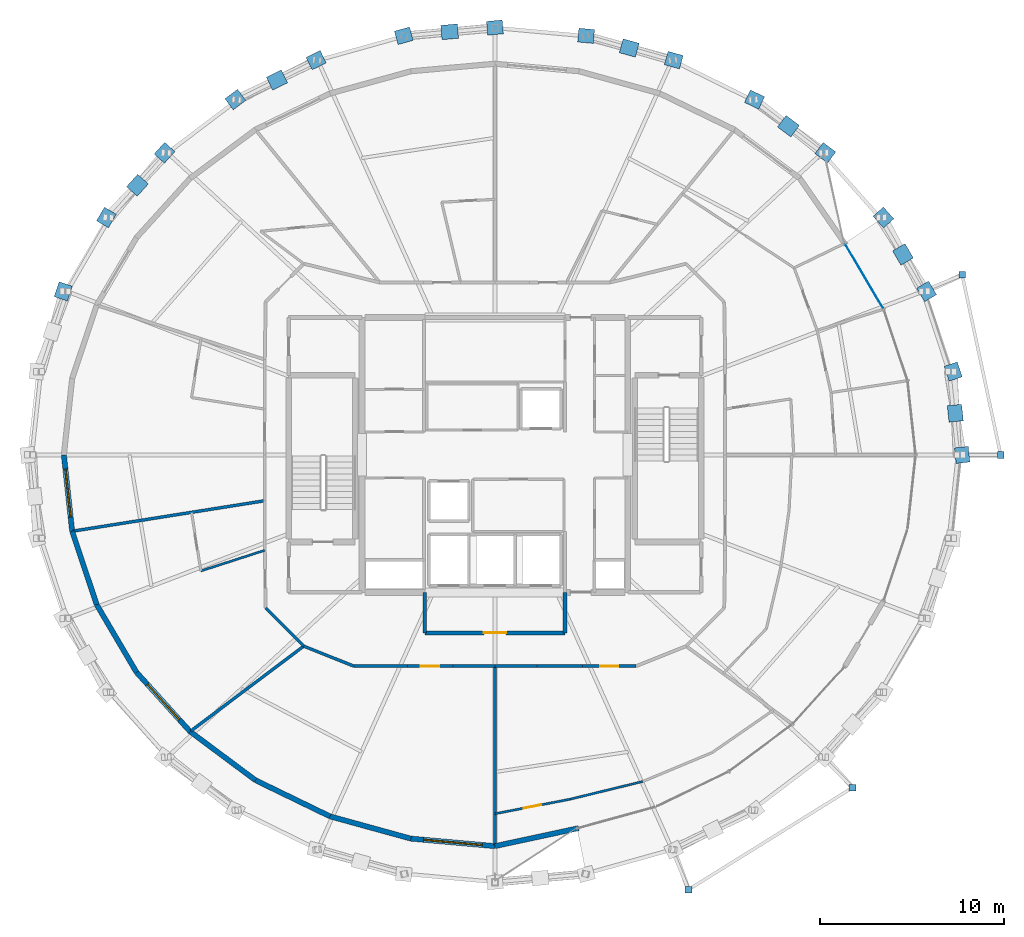
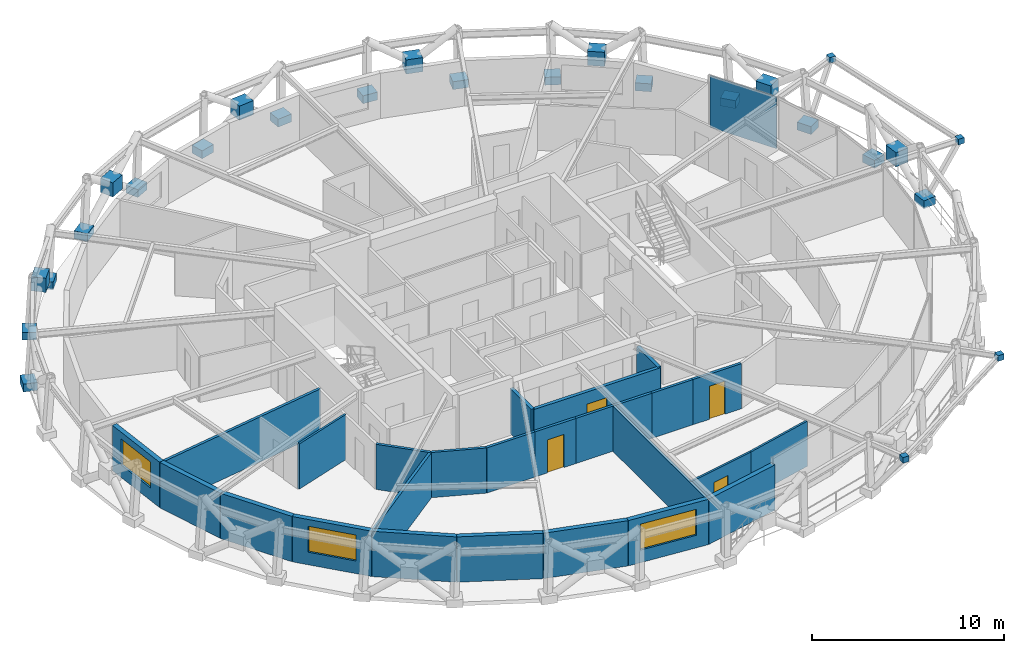
# One storey, part 13 of 18: 27 plates, 26 walls, 4 doors, 3 windows, 7 openings, 1 element without a shape of its own.
"""IFC4 building model written with IfcOpenShell, lengths in metres."""

import ifcopenshell
import ifcopenshell.guid

model = None  # the IFC model being written
_history = None  # IfcOwnerHistory: only IFC2X3 demands one
_inside = {}  # id of a spatial element -> (the spatial element, [elements in it])
_under = {}  # id of a project, library or spatial element -> (it, [spatial elements below it])
_declared = {}  # id of a project -> (the project, [libraries it declares])
_typed = {}  # id of a type object -> (the type object, [elements of that type])
_made_of = {}  # id of a material, layer set ... -> (it, [elements and type objects made of it])


def new_model(schema):
    """Start an empty IFC model of exactly this schema.

    Asked for "IFC4X3", IfcOpenShell would pick the latest addendum, in which some entities
    have other attributes; the version numbers below select the first issue.
    IFC2X3 requires an IfcOwnerHistory on every rooted entity: one is made here for all.
    """
    global model, _history
    if schema == "IFC4X3":
        model = ifcopenshell.file(schema_version=(4, 3, 0, 0))
    else:
        model = ifcopenshell.file(schema=schema)
    _inside.clear()
    _under.clear()
    _declared.clear()
    _typed.clear()
    _made_of.clear()
    _history = None
    if model.schema == "IFC2X3":
        org = make("IfcOrganization", Name="unknown")
        user = make(
            "IfcPersonAndOrganization",
            ThePerson=make("IfcPerson", FamilyName="unknown"),
            TheOrganization=org,
        )
        app = make(
            "IfcApplication",
            ApplicationDeveloper=org,
            Version="unknown",
            ApplicationFullName="unknown",
            ApplicationIdentifier="unknown",
        )
        _history = make(
            "IfcOwnerHistory",
            OwningUser=user,
            OwningApplication=app,
            ChangeAction="ADDED",
            CreationDate=0,
        )
    return model


def make(cls, **values):
    """One entity of the class cls with the attributes given. An attribute that is None is left unset."""
    return model.create_entity(
        cls, **{name: value for name, value in values.items() if value is not None}
    )


def rooted(cls, **values):
    """An entity with a GlobalId (a new one), such as an element, a storey or a relation."""
    return make(cls, GlobalId=ifcopenshell.guid.new(), OwnerHistory=_history, **values)


def si_unit(unit_type, name, prefix=None):
    """IfcSIUnit, for example si_unit("LENGTHUNIT", "METRE", prefix="MILLI")."""
    return make("IfcSIUnit", UnitType=unit_type, Prefix=prefix, Name=name)


def assignment(units):
    """IfcUnitAssignment: the units of a project."""
    return None if units is None else make("IfcUnitAssignment", Units=units)


def point(xyz):
    """IfcCartesianPoint."""
    return None if xyz is None else make("IfcCartesianPoint", Coordinates=xyz)


def direction(xyz):
    """IfcDirection."""
    return None if xyz is None else make("IfcDirection", DirectionRatios=xyz)


def frame(location, z_axis=None, x_axis=None):
    """IfcAxis2Placement3D, a coordinate frame: its origin and axes. An axis left out is left unset."""
    return make(
        "IfcAxis2Placement3D",
        Location=point(location),
        Axis=direction(z_axis),
        RefDirection=direction(x_axis),
    )


def frame_2d(location, x_axis=None):
    """IfcAxis2Placement2D, a coordinate frame in the plane: its origin and x axis."""
    return make(
        "IfcAxis2Placement2D", Location=point(location), RefDirection=direction(x_axis)
    )


def origin():
    """The frame at (0, 0, 0) with its axes left unset."""
    return frame((0.0, 0.0, 0.0))


def origin_2d():
    """The frame at (0, 0) in the plane with its x axis left unset."""
    return frame_2d((0.0, 0.0))


def place(relative_to, where):
    """IfcLocalPlacement: puts the frame where relative to a parent placement (None: the world)."""
    return make(
        "IfcLocalPlacement", PlacementRelTo=relative_to, RelativePlacement=where
    )


def context(
    kind, dimensions, precision=None, world=None, true_north=None, identifier=None
):
    """IfcGeometricRepresentationContext, for example the 3D "Model" context."""
    return make(
        "IfcGeometricRepresentationContext",
        ContextIdentifier=identifier,
        ContextType=kind,
        CoordinateSpaceDimension=dimensions,
        Precision=precision,
        WorldCoordinateSystem=world,
        TrueNorth=true_north,
    )


def subcontext(parent, identifier, kind, view, scale=None):
    """IfcGeometricRepresentationSubContext, for example "Body" below "Model"."""
    return make(
        "IfcGeometricRepresentationSubContext",
        ContextIdentifier=identifier,
        ContextType=kind,
        ParentContext=parent,
        TargetScale=scale,
        TargetView=view,
    )


def project(units=None, contexts=None):
    """IfcProject with its units and contexts."""
    return rooted(
        "IfcProject",
        Name="project",
        RepresentationContexts=contexts,
        UnitsInContext=assignment(units),
    )


def spatial(cls, under=None, at=None, **own):
    """A site, building, storey or space (cls), placed at a placement, below another one or the project."""
    s = rooted(cls, ObjectPlacement=at, **own)
    if under is not None:
        _under.setdefault(under.id(), (under, []))[1].append(s)
    return s


def profile(cls, at=None, kind="AREA", **sizes):
    """A parametric profile (cls). Its sizes go by their IFC names, for example OverallWidth=200.0."""
    return make(cls, ProfileType=kind, Position=at, **sizes)


def rectangle(**sizes):
    """IfcRectangleProfileDef."""
    return profile("IfcRectangleProfileDef", **sizes)


def extrude(swept, where, along, depth):
    """IfcExtrudedAreaSolid: the profile swept, set in the frame where, extruded along a direction by depth."""
    return make(
        "IfcExtrudedAreaSolid",
        SweptArea=swept,
        Position=where,
        ExtrudedDirection=direction(along),
        Depth=depth,
    )


def shape(context_of_items, identifier, shape_type, items):
    """IfcShapeRepresentation: the items that make up one representation, for example the "Body"."""
    return make(
        "IfcShapeRepresentation",
        ContextOfItems=context_of_items,
        RepresentationIdentifier=identifier,
        RepresentationType=shape_type,
        Items=items,
    )


def material(Name=None, Category=None):
    """IfcMaterial."""
    return make("IfcMaterial", Name=Name, Category=Category)


def layer(
    of_material, thickness, ventilated=None, Name=None, Category=None, Priority=None
):
    """IfcMaterialLayer: one layer of a wall or slab, of a material (None: an air gap)."""
    return make(
        "IfcMaterialLayer",
        Material=of_material,
        LayerThickness=thickness,
        IsVentilated=ventilated,
        Name=Name,
        Category=Category,
        Priority=Priority,
    )


def layer_set(layers, Name=None):
    """IfcMaterialLayerSet."""
    return make("IfcMaterialLayerSet", MaterialLayers=layers, LayerSetName=Name)


def made_of(thing, what):
    """Note that an element or type object is made of a material, layer set ...; save() writes the relation."""
    if what is not None:
        _made_of.setdefault(what.id(), (what, []))[1].append(thing)
    return thing


def type_object(cls, material=None, **own):
    """A type object (cls), such as IfcWallType, which elements share."""
    return made_of(rooted(cls, **own), material)


def element(
    cls,
    number,
    at=None,
    inside=None,
    cuts=None,
    type_object=None,
    material=None,
    context=None,
    identifier="Body",
    shape_type=None,
    held_by="IfcProductDefinitionShape",
    body=None,
    shapes=None,
    **own,
):
    """One element of the class cls, such as IfcWall. Its Tag is "e" and its number.

    at: its placement. inside: the storey or other place that contains it. cuts: it is an
    opening in that element (IfcRelVoidsElement). A single representation is given by context,
    identifier, shape_type and body (its items); several are given by shapes. held_by: the class
    of the entity that holds the representations. save() writes the other relations.
    """
    e = rooted(cls, Tag="e%d" % number, ObjectPlacement=at, **own)
    if body is not None:
        shapes = [shape(context, identifier, shape_type, body)]
    if shapes is not None:
        e.Representation = make(held_by, Representations=shapes)
    if inside is not None:
        _inside.setdefault(inside.id(), (inside, []))[1].append(e)
    if cuts is not None:
        rooted(
            "IfcRelVoidsElement", RelatingBuildingElement=cuts, RelatedOpeningElement=e
        )
    if type_object is not None:
        _typed.setdefault(type_object.id(), (type_object, []))[1].append(e)
    return made_of(e, material)


def fill(opening, filler):
    """IfcRelFillsElement: the door or window that sits in an opening."""
    return rooted(
        "IfcRelFillsElement",
        RelatingOpeningElement=opening,
        RelatedBuildingElement=filler,
    )


def aggregate(whole, parts):
    """IfcRelAggregates: a whole, such as a stair, and the parts it consists of."""
    return rooted("IfcRelAggregates", RelatingObject=whole, RelatedObjects=parts)


def save(model, path):
    """Write the relations noted so far, then the file.

    IfcRelAggregates (storeys below a building ...), IfcRelContainedInSpatialStructure (elements
    in a storey), IfcRelDefinesByType, IfcRelAssociatesMaterial and IfcRelDeclares: one each for
    every whole, place, type object, material and project.
    """
    for whole, parts in _under.values():
        aggregate(whole, parts)
    for where, things in _inside.values():
        rooted(
            "IfcRelContainedInSpatialStructure",
            RelatedElements=things,
            RelatingStructure=where,
        )
    for kind, things in _typed.values():
        rooted("IfcRelDefinesByType", RelatedObjects=things, RelatingType=kind)
    for what, things in _made_of.values():
        rooted("IfcRelAssociatesMaterial", RelatedObjects=things, RelatingMaterial=what)
    for by, libraries in _declared.values():
        rooted("IfcRelDeclares", RelatingContext=by, RelatedDefinitions=libraries)
    model.write(path)


model = new_model("IFC4")

# Units and contexts
model_context = context("Model", 3, precision=1e-05, world=origin(), true_north=direction((0.0, 1.0)))
body_context = subcontext(model_context, "Body", "Model", "MODEL_VIEW")
ifc_project = project(units=[si_unit("LENGTHUNIT", "METRE"), si_unit("AREAUNIT", "SQUARE_METRE"), si_unit("VOLUMEUNIT", "CUBIC_METRE"), si_unit("PLANEANGLEUNIT", "RADIAN"), si_unit("MASSUNIT", "GRAM", prefix="KILO")], contexts=[model_context])

# Site, building, storey
site_placement = place(None, origin())
site = spatial("IfcSite", under=ifc_project, at=site_placement, CompositionType="ELEMENT")
building_placement = place(site_placement, origin())
building = spatial("IfcBuilding", under=site, at=building_placement, Name="Veldorina Hangang Commons", CompositionType="ELEMENT")
storey_placement = place(building_placement, frame((0.0, 0.0, 218.39990234375)))
storey = spatial("IfcBuildingStorey", under=building, at=storey_placement, Name="L56", CompositionType="ELEMENT", Elevation=218.39990234375)

# Curtain wall, plate
ifc_material_1 = material(Name="Glass Low-E Selective", Category="glass")
ifc_layer_1 = layer(ifc_material_1, 0.179931640625)
ifc_layer_set_1 = layer_set([ifc_layer_1], Name="Glass Low-E Selective")
curtain_wall_type = type_object("IfcCurtainWallType", Name="CW-SYS-Z3", PredefinedType="NOTDEFINED", material=ifc_layer_set_1)
curtain_wall_placement = place(storey_placement, origin())
curtain_wall = element("IfcCurtainWall", 1, at=curtain_wall_placement, inside=storey, type_object=curtain_wall_type, Name="L56 unitised curtain wall CW-L56-R2", PredefinedType="NOTDEFINED")
ifc_material_2 = material(Name="Glass Low-E Triple IGU", Category="glass")
ifc_layer_2 = layer(ifc_material_2, 0.0400390625)
ifc_layer_set_2 = layer_set([ifc_layer_2], Name="Glass Low-E Triple IGU")
plate_type_1 = type_object("IfcPlateType", Name="CW-PNL-VIS", PredefinedType="CURTAIN_PANEL", material=ifc_layer_set_2)
plate_1_placement = place(storey_placement, frame((52.0185546875, 33.685791015625, 0.01513671875), z_axis=(0.0, 0.0, 1.0), x_axis=(-0.508470438106, 0.861079446725, 0.0)))
plate_1 = element("IfcPlate", 2, at=plate_1_placement, type_object=plate_type_1, Name="CW-L56-R2 facet 5 glazed vision panel", PredefinedType="CURTAIN_PANEL", context=body_context, shape_type="SweptSolid", body=[
    extrude(rectangle(XDim=3.96533203125, YDim=0.0400390625, at=origin_2d()), origin(), (0.0, 0.0, 1.0), 3.2900390625),
])
aggregate(curtain_wall, [plate_1])

# Plates
ifc_material_3 = material(Name="Steel SM460-TMC", Category="steel")
ifc_layer_3 = layer(ifc_material_3, 0.035888671875)
ifc_layer_set_3 = layer_set([ifc_layer_3], Name="Steel SM460-TMC")
plate_type_2 = type_object("IfcPlateType", Name="PL-STAR-36", PredefinedType="USERDEFINED", material=ifc_layer_set_3)
plate_2_placement = place(storey_placement, frame((57.32861328125, 24.0, -0.08984375), z_axis=(0.0, 0.0, 1.0), x_axis=(-0.107062342669, 0.994252309418, 0.0)))
element("IfcPlate", 3, at=plate_2_placement, inside=storey, type_object=plate_type_2, Name="L56 diagrid star-node gusset plate 00", ObjectType="GUSSET PLATE", PredefinedType="USERDEFINED", context=body_context, shape_type="SweptSolid", body=[
    extrude(rectangle(XDim=0.85009765625, YDim=0.75, at=origin_2d()), origin(), (0.0, 0.0, 1.0), 0.5),
])
plate_3_placement = place(storey_placement, frame((56.956298828125, 26.25927734375, 1.350830078125), z_axis=(0.0, 0.0, 1.0), x_axis=(-0.107062342669, 0.994252309418, 0.0)))
element("IfcPlate", 4, at=plate_3_placement, inside=storey, type_object=plate_type_2, Name="L56 diagrid X-crossing star-node gusset plate 00", ObjectType="GUSSET PLATE", PredefinedType="USERDEFINED", context=body_context, shape_type="SweptSolid", body=[
    extrude(rectangle(XDim=0.89990234375, YDim=0.780029296875, at=origin_2d()), origin(), (0.0, 0.0, 1.0), 0.89990234375),
])
for number, where, z_axis, x_axis, name in (
    (5, (56.842041015625, 28.51953125, -0.08984375), (0.0, 0.0, 1.0), (-0.314787734517, 0.949162094796, 0.0), "L56 diagrid star-node gusset plate 01"),
    (6, (55.400634765625, 32.865478515625, -0.08984375), (0.0, 0.0, 1.0), (-0.504572830409, 0.863369132419, 0.0), "L56 diagrid star-node gusset plate 02"),
):
    element("IfcPlate", number, at=place(storey_placement, frame(where, z_axis=z_axis, x_axis=x_axis)), inside=storey, type_object=plate_type_2, Name=name, ObjectType="GUSSET PLATE", PredefinedType="USERDEFINED", context=body_context, shape_type="SweptSolid", body=[
        extrude(rectangle(XDim=0.85009765625, YDim=0.75, at=origin_2d()), origin(), (0.0, 0.0, 1.0), 0.5),
    ])
plate_4_placement = place(storey_placement, frame((54.118896484375, 34.867919921875, 1.352783203125), z_axis=(0.0, 0.0, 1.0), x_axis=(-0.504572830409, 0.863369132419, 0.0)))
element("IfcPlate", 7, at=plate_4_placement, inside=storey, type_object=plate_type_2, Name="L56 diagrid X-crossing star-node gusset plate 02", ObjectType="GUSSET PLATE", PredefinedType="USERDEFINED", context=body_context, shape_type="SweptSolid", body=[
    extrude(rectangle(XDim=0.89990234375, YDim=0.780029296875, at=origin_2d()), origin(), (0.0, 0.0, 1.0), 0.89990234375),
])
for number, where, z_axis, x_axis, name in (
    (8, (53.06005859375, 36.87060546875, -0.08984375), (0.0, 0.0, 1.0), (-0.667832555471, 0.744311546231, 0.0), "L56 diagrid star-node gusset plate 03"),
    (9, (49.91015625, 40.38134765625, -0.08984375), (0.0, 0.0, 1.0), (-0.799758007688, 0.600322520933, 0.0), "L56 diagrid star-node gusset plate 04"),
):
    element("IfcPlate", number, at=place(storey_placement, frame(where, z_axis=z_axis, x_axis=x_axis)), inside=storey, type_object=plate_type_2, Name=name, ObjectType="GUSSET PLATE", PredefinedType="USERDEFINED", context=body_context, shape_type="SweptSolid", body=[
        extrude(rectangle(XDim=0.85009765625, YDim=0.75, at=origin_2d()), origin(), (0.0, 0.0, 1.0), 0.5),
    ])
plate_5_placement = place(storey_placement, frame((47.910888671875, 41.82177734375, 1.356201171875), z_axis=(0.0, 0.0, 1.0), x_axis=(-0.799758007688, 0.600322520933, 0.0)))
element("IfcPlate", 10, at=plate_5_placement, inside=storey, type_object=plate_type_2, Name="L56 diagrid X-crossing star-node gusset plate 04", ObjectType="GUSSET PLATE", PredefinedType="USERDEFINED", context=body_context, shape_type="SweptSolid", body=[
    extrude(rectangle(XDim=0.89990234375, YDim=0.780029296875, at=origin_2d()), origin(), (0.0, 0.0, 1.0), 0.89990234375),
])
for number, where, z_axis, x_axis, name in (
    (11, (46.072021484375, 43.262451171875, -0.08984375), (0.0, 0.0, 1.0), (-0.898388157769, 0.439202365636, 0.0), "L56 diagrid star-node gusset plate 05"),
    (12, (41.69287109375, 45.4033203125, -0.08984375), (0.0, 0.0, 1.0), (-0.963593130299, 0.267372921666, 0.0), "L56 diagrid star-node gusset plate 06"),
):
    element("IfcPlate", number, at=place(storey_placement, frame(where, z_axis=z_axis, x_axis=x_axis)), inside=storey, type_object=plate_type_2, Name=name, ObjectType="GUSSET PLATE", PredefinedType="USERDEFINED", context=body_context, shape_type="SweptSolid", body=[
        extrude(rectangle(XDim=0.85009765625, YDim=0.75, at=origin_2d()), origin(), (0.0, 0.0, 1.0), 0.5),
    ])
plate_6_placement = place(storey_placement, frame((39.27978515625, 46.0595703125, 1.35888671875), z_axis=(0.0, 0.0, 1.0), x_axis=(-0.963593130299, 0.267372921666, 0.0)))
element("IfcPlate", 13, at=plate_6_placement, inside=storey, type_object=plate_type_2, Name="L56 diagrid X-crossing star-node gusset plate 06", ObjectType="GUSSET PLATE", PredefinedType="USERDEFINED", context=body_context, shape_type="SweptSolid", body=[
    extrude(rectangle(XDim=0.89990234375, YDim=0.780029296875, at=origin_2d()), origin(), (0.0, 0.0, 1.0), 0.89990234375),
])
for number, where, z_axis, x_axis, name in (
    (14, (36.94140625, 46.7216796875, -0.08984375), (0.0, 0.0, 1.0), (-0.995967809887, 0.089711324082, 0.0), "L56 diagrid star-node gusset plate 07"),
    (15, (32.0, 47.166748046875, -0.08984375), (0.0, 0.0, 1.0), (-0.995967809887, -0.089711324082, 0.0), "L56 diagrid star-node gusset plate 08"),
):
    element("IfcPlate", number, at=place(storey_placement, frame(where, z_axis=z_axis, x_axis=x_axis)), inside=storey, type_object=plate_type_2, Name=name, ObjectType="GUSSET PLATE", PredefinedType="USERDEFINED", context=body_context, shape_type="SweptSolid", body=[
        extrude(rectangle(XDim=0.85009765625, YDim=0.75, at=origin_2d()), origin(), (0.0, 0.0, 1.0), 0.5),
    ])
plate_7_placement = place(storey_placement, frame((29.542236328125, 46.93701171875, 1.359375), z_axis=(0.0, 0.0, 1.0), x_axis=(-0.995967809887, -0.089711324082, 0.0)))
element("IfcPlate", 16, at=plate_7_placement, inside=storey, type_object=plate_type_2, Name="L56 diagrid X-crossing star-node gusset plate 08", ObjectType="GUSSET PLATE", PredefinedType="USERDEFINED", context=body_context, shape_type="SweptSolid", body=[
    extrude(rectangle(XDim=0.89990234375, YDim=0.780029296875, at=origin_2d()), origin(), (0.0, 0.0, 1.0), 0.89990234375),
])
for number, where, z_axis, x_axis, name in (
    (17, (27.05859375, 46.7216796875, -0.08984375), (0.0, 0.0, 1.0), (-0.963593130299, -0.267372921666, 0.0), "L56 diagrid star-node gusset plate 09"),
    (18, (22.30712890625, 45.4033203125, -0.08984375), (0.0, 0.0, 1.0), (-0.898388157769, -0.439202365636, 0.0), "L56 diagrid star-node gusset plate 10"),
):
    element("IfcPlate", number, at=place(storey_placement, frame(where, z_axis=z_axis, x_axis=x_axis)), inside=storey, type_object=plate_type_2, Name=name, ObjectType="GUSSET PLATE", PredefinedType="USERDEFINED", context=body_context, shape_type="SweptSolid", body=[
        extrude(rectangle(XDim=0.85009765625, YDim=0.75, at=origin_2d()), origin(), (0.0, 0.0, 1.0), 0.5),
    ])
plate_8_placement = place(storey_placement, frame((20.181640625, 44.3232421875, 1.35791015625), z_axis=(0.0, 0.0, 1.0), x_axis=(-0.898388157769, -0.439202365636, 0.0)))
element("IfcPlate", 19, at=plate_8_placement, inside=storey, type_object=plate_type_2, Name="L56 diagrid X-crossing star-node gusset plate 10", ObjectType="GUSSET PLATE", PredefinedType="USERDEFINED", context=body_context, shape_type="SweptSolid", body=[
    extrude(rectangle(XDim=0.89990234375, YDim=0.780029296875, at=origin_2d()), origin(), (0.0, 0.0, 1.0), 0.89990234375),
])
for number, where, z_axis, x_axis, name in (
    (20, (17.927978515625, 43.262451171875, -0.08984375), (0.0, 0.0, 1.0), (-0.799758007688, -0.600322520933, 0.0), "L56 diagrid star-node gusset plate 11"),
    (21, (14.08984375, 40.38134765625, -0.08984375), (0.0, 0.0, 1.0), (-0.667832555471, -0.744311546231, 0.0), "L56 diagrid star-node gusset plate 12"),
):
    element("IfcPlate", number, at=place(storey_placement, frame(where, z_axis=z_axis, x_axis=x_axis)), inside=storey, type_object=plate_type_2, Name=name, ObjectType="GUSSET PLATE", PredefinedType="USERDEFINED", context=body_context, shape_type="SweptSolid", body=[
        extrude(rectangle(XDim=0.85009765625, YDim=0.75, at=origin_2d()), origin(), (0.0, 0.0, 1.0), 0.5),
    ])
plate_9_placement = place(storey_placement, frame((12.62060546875, 38.618408203125, 1.3544921875), z_axis=(0.0, 0.0, 1.0), x_axis=(-0.667832555471, -0.744311546231, 0.0)))
element("IfcPlate", 22, at=plate_9_placement, inside=storey, type_object=plate_type_2, Name="L56 diagrid X-crossing star-node gusset plate 12", ObjectType="GUSSET PLATE", PredefinedType="USERDEFINED", context=body_context, shape_type="SweptSolid", body=[
    extrude(rectangle(XDim=0.89990234375, YDim=0.780029296875, at=origin_2d()), origin(), (0.0, 0.0, 1.0), 0.89990234375),
])
for number, where, z_axis, x_axis, name in (
    (23, (10.93994140625, 36.87060546875, -0.08984375), (0.0, 0.0, 1.0), (-0.504572830409, -0.863369132419, 0.0), "L56 diagrid star-node gusset plate 13"),
    (24, (8.599365234375, 32.865478515625, -0.08984375), (0.0, 0.0, 1.0), (-0.314787734517, -0.949162094796, 0.0), "L56 diagrid star-node gusset plate 14"),
):
    element("IfcPlate", number, at=place(storey_placement, frame(where, z_axis=z_axis, x_axis=x_axis)), inside=storey, type_object=plate_type_2, Name=name, ObjectType="GUSSET PLATE", PredefinedType="USERDEFINED", context=body_context, shape_type="SweptSolid", body=[
        extrude(rectangle(XDim=0.85009765625, YDim=0.75, at=origin_2d()), origin(), (0.0, 0.0, 1.0), 0.5),
    ])
for number, where, z_axis, x_axis, name in (
    (25, (42.491455078125, 0.43701171875, 3.0048828125), (0.0, 0.0, 1.0), (1.0, 0.0, 0.0), "L57 tree balcony 1 strut end gusset A"),
    (26, (51.3857421875, 5.965576171875, 3.0048828125), (0.0, 0.0, 1.0), (1.0, 0.0, 0.0), "L57 tree balcony 1 strut end gusset B"),
    (27, (59.41552734375, 24.0, 3.0048828125), (0.0, 0.0, 1.0), (1.0, 0.0, 0.0), "L57 tree balcony 2 strut end gusset A"),
    (28, (57.32861328125, 33.760009765625, 3.0048828125), (0.0, 0.0, 1.0), (1.0, 0.0, 0.0), "L57 tree balcony 2 strut end gusset B"),
):
    element("IfcPlate", number, at=place(storey_placement, frame(where, z_axis=z_axis, x_axis=x_axis)), inside=storey, type_object=plate_type_2, Name=name, ObjectType="GUSSET PLATE", PredefinedType="USERDEFINED", context=body_context, shape_type="SweptSolid", body=[
        extrude(rectangle(XDim=0.360107421875, YDim=0.360107421875, at=origin_2d()), origin(), (0.0, 0.0, 1.0), 0.360107421875),
    ])

# Wall, opening, window
ifc_material_4 = material(Name="Stone Roman Travertine", Category="masonry")
ifc_layer_4 = layer(ifc_material_4, 0.280029296875)
ifc_layer_set_4 = layer_set([ifc_layer_4], Name="Stone Roman Travertine")
wall_type_1 = type_object("IfcWallType", Name="EW-TRAV-280", PredefinedType="STANDARD", material=ifc_layer_set_4)
wall_1_placement = place(storey_placement, frame((8.63134765625, 24.0, 0.0), z_axis=(0.0, 0.0, 1.0), x_axis=(0.107887755605, -0.994163081285, 0.0)))
wall_1 = element("IfcWall", 29, at=wall_1_placement, inside=storey, type_object=wall_type_1, Name="L56 travertine facade wall 16", PredefinedType="STANDARD", context=body_context, shape_type="SweptSolid", body=[
    extrude(rectangle(XDim=4.161376953125, YDim=0.280029296875, at=frame_2d((2.08056640625, 0.0))), origin(), (0.0, 0.0, 1.0), 2.880126953125),
])
opening_1_placement = place(wall_1_placement, frame((0.78076171875, 0.0, 0.800048828125)))
opening_1 = element("IfcOpeningElement", 30, at=opening_1_placement, cuts=wall_1, Name="Opening W-02", PredefinedType="OPENING", context=body_context, shape_type="SweptSolid", body=[
    extrude(rectangle(XDim=2.60009765625, YDim=1.64990234375, at=frame_2d((1.300048828125, 0.824951171875))), frame((0.0, 0.14990234375, 0.0), z_axis=(0.0, -1.0, 0.0), x_axis=(1.0, 0.0, 0.0)), (0.0, 0.0, 1.0), 0.300048828125),
])
window_type_1 = type_object("IfcWindowType", Name="WIN-TWR-2600", PartitioningType="SINGLE_PANEL", PredefinedType="WINDOW", material=ifc_material_2)
window_1_placement = place(opening_1_placement, origin())
window_1 = element("IfcWindow", 31, at=window_1_placement, inside=storey, type_object=window_type_1, Name="L56 facade window 16", OverallHeight=1.64990234375, OverallWidth=2.60009765625, PartitioningType="SINGLE_PANEL", PredefinedType="WINDOW", context=body_context, shape_type="SweptSolid", body=[
    extrude(rectangle(XDim=2.60009765625, YDim=1.64990234375, at=frame_2d((1.300048828125, 0.824951171875))), frame((0.0, 0.030029296875, 0.0), z_axis=(0.0, -1.0, 0.0), x_axis=(1.0, 0.0, 0.0)), (0.0, 0.0, 1.0), 0.06005859375),
])
fill(opening_1, window_1)

# Walls
wall_2_placement = place(storey_placement, frame((9.080322265625, 19.86279296875, 0.0), z_axis=(0.0, 0.0, 1.0), x_axis=(0.317030851827, -0.948415224989, 0.0)))
element("IfcWall", 32, at=wall_2_placement, inside=storey, type_object=wall_type_1, Name="L56 travertine facade wall 17", PredefinedType="STANDARD", context=body_context, shape_type="SweptSolid", body=[
    extrude(rectangle(XDim=4.194580078125, YDim=0.280029296875, at=frame_2d((2.09716796875, 0.0))), origin(), (0.0, 0.0, 1.0), 2.880126953125),
])
wall_3_placement = place(storey_placement, frame((10.41015625, 15.884521484375, 0.0), z_axis=(0.0, 0.0, 1.0), x_axis=(0.50750901232, -0.861646448617, 0.0)))
element("IfcWall", 33, at=wall_3_placement, inside=storey, type_object=wall_type_1, Name="L56 travertine facade wall 18", PredefinedType="STANDARD", context=body_context, shape_type="SweptSolid", body=[
    extrude(rectangle(XDim=4.2548828125, YDim=0.280029296875, at=frame_2d((2.12744140625, 0.0))), origin(), (0.0, 0.0, 1.0), 2.880126953125),
])

# Wall, opening, window
wall_4_placement = place(storey_placement, frame((12.569580078125, 12.21826171875, 0.0), z_axis=(0.0, 0.0, 1.0), x_axis=(0.670746586543, -0.741686602711, 0.0)))
wall_4 = element("IfcWall", 34, at=wall_4_placement, inside=storey, type_object=wall_type_1, Name="L56 travertine facade wall 19", PredefinedType="STANDARD", context=body_context, shape_type="SweptSolid", body=[
    extrude(rectangle(XDim=4.332763671875, YDim=0.280029296875, at=frame_2d((2.16650390625, 0.0))), origin(), (0.0, 0.0, 1.0), 2.880126953125),
])
opening_2_placement = place(wall_4_placement, frame((0.866455078125, 0.0, 0.800048828125)))
opening_2 = element("IfcOpeningElement", 35, at=opening_2_placement, cuts=wall_4, Name="Opening W-02", PredefinedType="OPENING", context=body_context, shape_type="SweptSolid", body=[
    extrude(rectangle(XDim=2.60009765625, YDim=1.64990234375, at=frame_2d((1.300048828125, 0.824951171875))), frame((0.0, 0.14990234375, 0.0), z_axis=(0.0, -1.0, 0.0), x_axis=(1.0, 0.0, 0.0)), (0.0, 0.0, 1.0), 0.300048828125),
])
window_2_placement = place(opening_2_placement, origin())
window_2 = element("IfcWindow", 36, at=window_2_placement, inside=storey, type_object=window_type_1, Name="L56 facade window 19", OverallHeight=1.64990234375, OverallWidth=2.60009765625, PartitioningType="SINGLE_PANEL", PredefinedType="WINDOW", context=body_context, shape_type="SweptSolid", body=[
    extrude(rectangle(XDim=2.60009765625, YDim=1.64990234375, at=frame_2d((1.300048828125, 0.824951171875))), frame((0.0, 0.030029296875, 0.0), z_axis=(0.0, -1.0, 0.0), x_axis=(1.0, 0.0, 0.0)), (0.0, 0.0, 1.0), 0.06005859375),
])
fill(opening_2, window_2)

# Walls
wall_5_placement = place(storey_placement, frame((15.475830078125, 9.004638671875, 0.0), z_axis=(0.0, 0.0, 1.0), x_axis=(0.802005914902, -0.597316090912, 0.0)))
element("IfcWall", 37, at=wall_5_placement, inside=storey, type_object=wall_type_1, Name="L56 travertine facade wall 20", PredefinedType="STANDARD", context=body_context, shape_type="SweptSolid", body=[
    extrude(rectangle(XDim=4.41552734375, YDim=0.280029296875, at=frame_2d((2.207763671875, 0.0))), origin(), (0.0, 0.0, 1.0), 2.880126953125),
])
wall_6_placement = place(storey_placement, frame((19.01708984375, 6.3671875, 0.0), z_axis=(0.0, 0.0, 1.0), x_axis=(0.899755886265, -0.436393566785, 0.0)))
element("IfcWall", 38, at=wall_6_placement, inside=storey, type_object=wall_type_1, Name="L56 travertine facade wall 21", PredefinedType="STANDARD", context=body_context, shape_type="SweptSolid", body=[
    extrude(rectangle(XDim=4.490234375, YDim=0.280029296875, at=frame_2d((2.2451171875, 0.0))), origin(), (0.0, 0.0, 1.0), 2.880126953125),
])
wall_7_placement = place(storey_placement, frame((23.05712890625, 4.40771484375, 0.0), z_axis=(0.0, 0.0, 1.0), x_axis=(0.964121606476, -0.265460972511, 0.0)))
element("IfcWall", 39, at=wall_7_placement, inside=storey, type_object=wall_type_1, Name="L56 travertine facade wall 22", PredefinedType="STANDARD", context=body_context, shape_type="SweptSolid", body=[
    extrude(rectangle(XDim=4.546875, YDim=0.280029296875, at=frame_2d((2.2734375, 0.0))), origin(), (0.0, 0.0, 1.0), 2.880126953125),
])

# Wall, opening, window
wall_8_placement = place(storey_placement, frame((27.44091796875, 3.20068359375, 0.0), z_axis=(0.0, 0.0, 1.0), x_axis=(0.996029770712, -0.089020760807, 0.0)))
wall_8 = element("IfcWall", 40, at=wall_8_placement, inside=storey, type_object=wall_type_1, Name="L56 travertine facade wall 23", PredefinedType="STANDARD", context=body_context, shape_type="SweptSolid", body=[
    extrude(rectangle(XDim=4.5771484375, YDim=0.280029296875, at=frame_2d((2.28857421875, 0.0))), origin(), (0.0, 0.0, 1.0), 2.880126953125),
])
opening_3_placement = place(wall_8_placement, frame((0.688720703125, 0.0, 0.800048828125)))
opening_3 = element("IfcOpeningElement", 41, at=opening_3_placement, cuts=wall_8, Name="Opening W-01", PredefinedType="OPENING", context=body_context, shape_type="SweptSolid", body=[
    extrude(rectangle(XDim=3.199951171875, YDim=1.64990234375, at=frame_2d((1.60009765625, 0.824951171875))), frame((0.0, 0.14990234375, 0.0), z_axis=(0.0, -1.0, 0.0), x_axis=(1.0, 0.0, 0.0)), (0.0, 0.0, 1.0), 0.300048828125),
])
window_type_2 = type_object("IfcWindowType", Name="WIN-TWR-3200", PartitioningType="SINGLE_PANEL", PredefinedType="WINDOW", material=ifc_material_2)
window_3_placement = place(opening_3_placement, origin())
window_3 = element("IfcWindow", 42, at=window_3_placement, inside=storey, type_object=window_type_2, Name="L56 facade window 23", OverallHeight=1.64990234375, OverallWidth=3.199951171875, PartitioningType="SINGLE_PANEL", PredefinedType="WINDOW", context=body_context, shape_type="SweptSolid", body=[
    extrude(rectangle(XDim=3.199951171875, YDim=1.64990234375, at=frame_2d((1.60009765625, 0.824951171875))), frame((0.0, 0.030029296875, 0.0), z_axis=(0.0, -1.0, 0.0), x_axis=(1.0, 0.0, 0.0)), (0.0, 0.0, 1.0), 0.06005859375),
])
fill(opening_3, window_3)

# Walls
wall_9_placement = place(storey_placement, frame((32.0, 2.793212890625, 0.0), z_axis=(0.0, 0.0, 1.0), x_axis=(0.977658303717, 0.21020047853, 0.0)))
element("IfcWall", 43, at=wall_9_placement, inside=storey, type_object=wall_type_1, Name="L56 travertine facade wall 24", PredefinedType="STANDARD", context=body_context, shape_type="SweptSolid", body=[
    extrude(rectangle(XDim=4.6435546875, YDim=0.280029296875, at=frame_2d((2.32177734375, 0.0))), origin(), (0.0, 0.0, 1.0), 2.880126953125),
])
ifc_material_5 = material(Name="Gypsum Fire-Rated Twin Stud Wall", Category="gypsum")
ifc_layer_5 = layer(ifc_material_5, 0.159912109375)
ifc_layer_set_5 = layer_set([ifc_layer_5], Name="Gypsum Fire-Rated Twin Stud Wall")
wall_type_2 = type_object("IfcWallType", Name="WL-FIRE-160", PredefinedType="SOLIDWALL", material=ifc_layer_set_5)
wall_10_placement = place(storey_placement, frame((19.5732421875, 15.69677734375, 0.0), z_axis=(0.0, 0.0, 1.0), x_axis=(0.707106781187, -0.707106781187, 0.0)))
element("IfcWall", 44, at=wall_10_placement, inside=storey, type_object=wall_type_2, Name="L56 Compact collar outer wall 19 071", PredefinedType="SOLIDWALL", context=body_context, shape_type="SweptSolid", body=[
    extrude(rectangle(XDim=2.915771484375, YDim=0.159912109375, at=frame_2d((1.4580078125, 0.0))), origin(), (0.0, 0.0, 1.0), 2.8701171875),
])
wall_11_placement = place(storey_placement, frame((21.635009765625, 13.635009765625, 0.0), z_axis=(0.0, 0.0, 1.0), x_axis=(0.92856882165, -0.371160266542, 0.0)))
element("IfcWall", 45, at=wall_11_placement, inside=storey, type_object=wall_type_2, Name="L56 Compact collar outer wall 20 072", PredefinedType="SOLIDWALL", context=body_context, shape_type="SweptSolid", body=[
    extrude(rectangle(XDim=2.923095703125, YDim=0.159912109375, at=frame_2d((1.46142578125, 0.0))), origin(), (0.0, 0.0, 1.0), 2.8701171875),
])
wall_12_placement = place(storey_placement, frame((24.349365234375, 12.550048828125, 0.0), z_axis=(0.0, 0.0, 1.0), x_axis=(1.0, 0.0, 0.0)))
element("IfcWall", 46, at=wall_12_placement, inside=storey, type_object=wall_type_2, Name="L56 Compact collar outer wall 21 073", PredefinedType="SOLIDWALL", context=body_context, shape_type="SweptSolid", body=[
    extrude(rectangle(XDim=2.907958984375, YDim=0.159912109375, at=frame_2d((1.4541015625, 0.0))), origin(), (0.0, 0.0, 1.0), 2.8701171875),
])

# Wall, opening, door
wall_13_placement = place(storey_placement, frame((27.25732421875, 12.550048828125, 0.0), z_axis=(0.0, 0.0, 1.0), x_axis=(1.0, 0.0, 0.0)))
wall_13 = element("IfcWall", 47, at=wall_13_placement, inside=storey, type_object=wall_type_2, Name="L56 Compact collar outer wall 22 074", PredefinedType="SOLIDWALL", context=body_context, shape_type="SweptSolid", body=[
    extrude(rectangle(XDim=2.465087890625, YDim=0.159912109375, at=frame_2d((1.232421875, 0.0))), origin(), (0.0, 0.0, 1.0), 2.8701171875),
])
opening_4_placement = place(wall_13_placement, frame((0.732666015625, 0.0, 0.0)))
opening_4 = element("IfcOpeningElement", 48, at=opening_4_placement, cuts=wall_13, Name="Opening D-05", PredefinedType="OPENING", context=body_context, shape_type="SweptSolid", body=[
    extrude(rectangle(XDim=1.0, YDim=2.10009765625, at=frame_2d((0.5, 1.050048828125))), frame((0.0, 0.08984375, 0.0), z_axis=(0.0, -1.0, 0.0), x_axis=(1.0, 0.0, 0.0)), (0.0, 0.0, 1.0), 0.179931640625),
])
ifc_material_6 = material(Name="Timber Solid Core Acoustic", Category="wood")
door_type_1 = type_object("IfcDoorType", Name="DR-INT-1000", OperationType="SINGLE_SWING_RIGHT", PredefinedType="DOOR", material=ifc_material_6)
door_1_placement = place(opening_4_placement, origin())
door_1 = element("IfcDoor", 49, at=door_1_placement, inside=storey, type_object=door_type_1, Name="L56 Floor Study Room 8 door 038", OperationType="SINGLE_SWING_RIGHT", OverallHeight=2.10009765625, OverallWidth=1.0, PredefinedType="DOOR", context=body_context, shape_type="SweptSolid", body=[
    extrude(rectangle(XDim=1.0, YDim=2.10009765625, at=frame_2d((0.5, 1.050048828125))), frame((0.0, 0.02490234375, 0.0), z_axis=(0.0, -1.0, 0.0), x_axis=(1.0, 0.0, 0.0)), (0.0, 0.0, 1.0), 0.050048828125),
])
fill(opening_4, door_1)

# Walls
for number, where, z_axis, x_axis, name in (
    (50, (29.722412109375, 12.550048828125, 0.0), (0.0, 0.0, 1.0), (1.0, 0.0, 0.0), "L56 Compact collar outer wall 23 075"),
    (51, (32.0, 12.550048828125, 0.0), (0.0, 0.0, 1.0), (1.0, 0.0, 0.0), "L56 Compact collar outer wall 24 076"),
):
    element("IfcWall", number, at=place(storey_placement, frame(where, z_axis=z_axis, x_axis=x_axis)), inside=storey, type_object=wall_type_2, Name=name, PredefinedType="SOLIDWALL", context=body_context, shape_type="SweptSolid", body=[
        extrude(rectangle(XDim=2.277587890625, YDim=0.159912109375, at=frame_2d((1.138671875, 0.0))), origin(), (0.0, 0.0, 1.0), 2.8701171875),
    ])
wall_14_placement = place(storey_placement, frame((34.277587890625, 12.550048828125, 0.0), z_axis=(0.0, 0.0, 1.0), x_axis=(1.0, 0.0, 0.0)))
element("IfcWall", 52, at=wall_14_placement, inside=storey, type_object=wall_type_2, Name="L56 Compact collar outer wall 25 077", PredefinedType="SOLIDWALL", context=body_context, shape_type="SweptSolid", body=[
    extrude(rectangle(XDim=2.465087890625, YDim=0.159912109375, at=frame_2d((1.232421875, 0.0))), origin(), (0.0, 0.0, 1.0), 2.8701171875),
])

# Wall, opening, door
wall_15_placement = place(storey_placement, frame((36.74267578125, 12.550048828125, 0.0), z_axis=(0.0, 0.0, 1.0), x_axis=(1.0, 0.0, 0.0)))
wall_15 = element("IfcWall", 53, at=wall_15_placement, inside=storey, type_object=wall_type_2, Name="L56 Compact collar outer wall 26 078", PredefinedType="SOLIDWALL", context=body_context, shape_type="SweptSolid", body=[
    extrude(rectangle(XDim=2.907958984375, YDim=0.159912109375, at=frame_2d((1.4541015625, 0.0))), origin(), (0.0, 0.0, 1.0), 2.8701171875),
])
opening_5_placement = place(wall_15_placement, frame((0.97900390625, 0.0, 0.0)))
opening_5 = element("IfcOpeningElement", 54, at=opening_5_placement, cuts=wall_15, Name="Opening D-02", PredefinedType="OPENING", context=body_context, shape_type="SweptSolid", body=[
    extrude(rectangle(XDim=0.949951171875, YDim=2.10009765625, at=frame_2d((0.47509765625, 1.050048828125))), frame((0.0, 0.08984375, 0.0), z_axis=(0.0, -1.0, 0.0), x_axis=(1.0, 0.0, 0.0)), (0.0, 0.0, 1.0), 0.179931640625),
])
door_type_2 = type_object("IfcDoorType", Name="DR-INT-950", OperationType="SINGLE_SWING_LEFT", PredefinedType="DOOR", material=ifc_material_6)
door_2_placement = place(opening_5_placement, origin())
door_2 = element("IfcDoor", 55, at=door_2_placement, inside=storey, type_object=door_type_2, Name="L56 Linen drying store door 039", OperationType="SINGLE_SWING_LEFT", OverallHeight=2.10009765625, OverallWidth=0.949951171875, PredefinedType="DOOR", context=body_context, shape_type="SweptSolid", body=[
    extrude(rectangle(XDim=0.949951171875, YDim=2.10009765625, at=frame_2d((0.47509765625, 1.050048828125))), frame((0.0, 0.02490234375, 0.0), z_axis=(0.0, -1.0, 0.0), x_axis=(1.0, 0.0, 0.0)), (0.0, 0.0, 1.0), 0.050048828125),
])
fill(opening_5, door_2)

# Walls
wall_16_placement = place(storey_placement, frame((19.52001953125, 21.517578125, 0.0), z_axis=(0.0, 0.0, 1.0), x_axis=(-0.987669269577, -0.156554827241, 0.0)))
element("IfcWall", 56, at=wall_16_placement, inside=storey, type_object=wall_type_2, Name="L56 Unit party wall 17 111", PredefinedType="SOLIDWALL", context=body_context, shape_type="SweptSolid", body=[
    extrude(rectangle(XDim=10.52001953125, YDim=0.159912109375, at=frame_2d((5.260009765625, 0.0))), origin(), (0.0, 0.0, 1.0), 2.8701171875),
])
wall_17_placement = place(storey_placement, frame((21.635009765625, 13.635009765625, 0.0), z_axis=(0.0, 0.0, 1.0), x_axis=(-0.799310631822, -0.600918059186, 0.0)))
element("IfcWall", 57, at=wall_17_placement, inside=storey, type_object=wall_type_2, Name="L56 Unit party wall 20 114", PredefinedType="SOLIDWALL", context=body_context, shape_type="SweptSolid", body=[
    extrude(rectangle(XDim=7.655517578125, YDim=0.159912109375, at=frame_2d((3.82763671875, 0.0))), origin(), (0.0, 0.0, 1.0), 2.8701171875),
])
wall_18_placement = place(storey_placement, frame((32.0, 12.550048828125, 0.0), z_axis=(0.0, 0.0, 1.0), x_axis=(0.0, -1.0, 0.0)))
element("IfcWall", 58, at=wall_18_placement, inside=storey, type_object=wall_type_2, Name="L56 Unit party wall 24 115", PredefinedType="SOLIDWALL", context=body_context, shape_type="SweptSolid", body=[
    extrude(rectangle(XDim=9.706787109375, YDim=0.159912109375, at=frame_2d((4.853515625, 0.0))), origin(), (0.0, 0.0, 1.0), 2.8701171875),
])
ifc_material_7 = material(Name="Concrete Blockwork Fire Wall C30/37", Category="masonry")
ifc_layer_6 = layer(ifc_material_7, 0.199951171875)
ifc_layer_set_6 = layer_set([ifc_layer_6], Name="Concrete Blockwork Fire Wall C30/37")
wall_type_3 = type_object("IfcWallType", Name="WL-FIRE-200", PredefinedType="SOLIDWALL", material=ifc_layer_set_6)
for number, where, z_axis, x_axis, name in (
    (59, (28.199951171875, 14.35009765625, 0.0), (0.0, 0.0, 1.0), (0.0, 1.0, 0.0), "L56 FF lobby west wall 012"),
    (60, (35.800048828125, 14.35009765625, 0.0), (0.0, 0.0, 1.0), (0.0, 1.0, 0.0), "L56 FF lobby east wall 013"),
):
    element("IfcWall", number, at=place(storey_placement, frame(where, z_axis=z_axis, x_axis=x_axis)), inside=storey, type_object=wall_type_3, Name=name, PredefinedType="SOLIDWALL", context=body_context, shape_type="SweptSolid", body=[
        extrude(rectangle(XDim=2.199951171875, YDim=0.199951171875, at=frame_2d((1.10009765625, 0.0))), origin(), (0.0, 0.0, 1.0), 2.8701171875),
    ])

# Wall, opening, door
wall_19_placement = place(storey_placement, frame((28.199951171875, 14.35009765625, 0.0), z_axis=(0.0, 0.0, 1.0), x_axis=(1.0, 0.0, 0.0)))
wall_19 = element("IfcWall", 61, at=wall_19_placement, inside=storey, type_object=wall_type_3, Name="L56 FF lobby south wall 014", PredefinedType="SOLIDWALL", context=body_context, shape_type="SweptSolid", body=[
    extrude(rectangle(XDim=7.60009765625, YDim=0.199951171875, at=frame_2d((3.800048828125, 0.0))), origin(), (0.0, 0.0, 1.0), 2.8701171875),
])
opening_6_placement = place(wall_19_placement, frame((3.199951171875, 0.0, 0.0)))
opening_6 = element("IfcOpeningElement", 62, at=opening_6_placement, cuts=wall_19, Name="Opening D-09", PredefinedType="OPENING", context=body_context, shape_type="SweptSolid", body=[
    extrude(rectangle(XDim=1.199951171875, YDim=2.10009765625, at=frame_2d((0.60009765625, 1.050048828125))), frame((0.0, 0.10986328125, 0.0), z_axis=(0.0, -1.0, 0.0), x_axis=(1.0, 0.0, 0.0)), (0.0, 0.0, 1.0), 0.219970703125),
])
ifc_material_8 = material(Name="Steel Fire-Rated Corridor Door", Category="steel")
door_type_3 = type_object("IfcDoorType", Name="DR-FIRE-1200", OperationType="SINGLE_SWING_LEFT", PredefinedType="DOOR", material=ifc_material_8)
door_3_placement = place(opening_6_placement, origin())
door_3 = element("IfcDoor", 63, at=door_3_placement, inside=storey, type_object=door_type_3, Name="L56 FF lobby south corridor door 005", OperationType="SINGLE_SWING_LEFT", OverallHeight=2.10009765625, OverallWidth=1.199951171875, PredefinedType="DOOR", context=body_context, shape_type="SweptSolid", body=[
    extrude(rectangle(XDim=1.199951171875, YDim=2.10009765625, at=frame_2d((0.60009765625, 1.050048828125))), frame((0.0, 0.02490234375, 0.0), z_axis=(0.0, -1.0, 0.0), x_axis=(1.0, 0.0, 0.0)), (0.0, 0.0, 1.0), 0.050048828125),
])
fill(opening_6, door_3)

# Wall
ifc_material_9 = material(Name="Gypsum Acoustic Stud Partition", Category="gypsum")
ifc_layer_7 = layer(ifc_material_9, 0.1201171875)
ifc_layer_set_7 = layer_set([ifc_layer_7], Name="Gypsum Acoustic Stud Partition")
wall_type_4 = type_object("IfcWallType", Name="WL-PART-120", PredefinedType="PARTITIONING", material=ifc_layer_set_7)
wall_20_placement = place(storey_placement, frame((19.52001953125, 18.83056640625, 0.0), z_axis=(0.0, 0.0, 1.0), x_axis=(-0.951496525558, -0.307659490105, 0.0)))
element("IfcWall", 64, at=wall_20_placement, inside=storey, type_object=wall_type_4, Name="L56 Studio 7 bath side wall 113", PredefinedType="PARTITIONING", context=body_context, shape_type="SweptSolid", body=[
    extrude(rectangle(XDim=3.638427734375, YDim=0.1201171875, at=frame_2d((1.8193359375, 0.0))), origin(), (0.0, 0.0, 1.0), 2.8701171875),
])

# Wall, opening, door
wall_21_placement = place(storey_placement, frame((32.0, 4.549560546875, 0.0), z_axis=(0.0, 0.0, 1.0), x_axis=(0.981832058993, 0.189751964243, 0.0)))
wall_21 = element("IfcWall", 65, at=wall_21_placement, inside=storey, type_object=wall_type_4, Name="L56 Laundry split 0 116", PredefinedType="PARTITIONING", context=body_context, shape_type="SweptSolid", body=[
    extrude(rectangle(XDim=4.134033203125, YDim=0.1201171875, at=frame_2d((2.06689453125, 0.0))), origin(), (0.0, 0.0, 1.0), 2.8701171875),
])
opening_7_placement = place(wall_21_placement, frame((1.591796875, 0.0, 0.0)))
opening_7 = element("IfcOpeningElement", 66, at=opening_7_placement, cuts=wall_21, Name="Opening D-02", PredefinedType="OPENING", context=body_context, shape_type="SweptSolid", body=[
    extrude(rectangle(XDim=0.949951171875, YDim=2.10009765625, at=frame_2d((0.47509765625, 1.050048828125))), frame((0.0, 0.070068359375, 0.0), z_axis=(0.0, -1.0, 0.0), x_axis=(1.0, 0.0, 0.0)), (0.0, 0.0, 1.0), 0.14013671875),
])
door_4_placement = place(opening_7_placement, origin())
door_4 = element("IfcDoor", 67, at=door_4_placement, inside=storey, type_object=door_type_2, Name="L56 Resident laundry inner door 040", OperationType="SINGLE_SWING_RIGHT", OverallHeight=2.10009765625, OverallWidth=0.949951171875, PredefinedType="DOOR", context=body_context, shape_type="SweptSolid", body=[
    extrude(rectangle(XDim=0.949951171875, YDim=2.10009765625, at=frame_2d((0.47509765625, 1.050048828125))), frame((0.0, 0.02490234375, 0.0), z_axis=(0.0, -1.0, 0.0), x_axis=(1.0, 0.0, 0.0)), (0.0, 0.0, 1.0), 0.050048828125),
])
fill(opening_7, door_4)

# Wall
wall_22_placement = place(storey_placement, frame((36.058837890625, 5.333984375, 0.0), z_axis=(0.0, 0.0, 1.0), x_axis=(0.971552006573, 0.236826304543, 0.0)))
element("IfcWall", 68, at=wall_22_placement, inside=storey, type_object=wall_type_4, Name="L56 Laundry split 1 117", PredefinedType="PARTITIONING", context=body_context, shape_type="SweptSolid", body=[
    extrude(rectangle(XDim=4.06787109375, YDim=0.1201171875, at=frame_2d((2.033935546875, 0.0))), origin(), (0.0, 0.0, 1.0), 2.8701171875),
])

save(model, "model.ifc")
